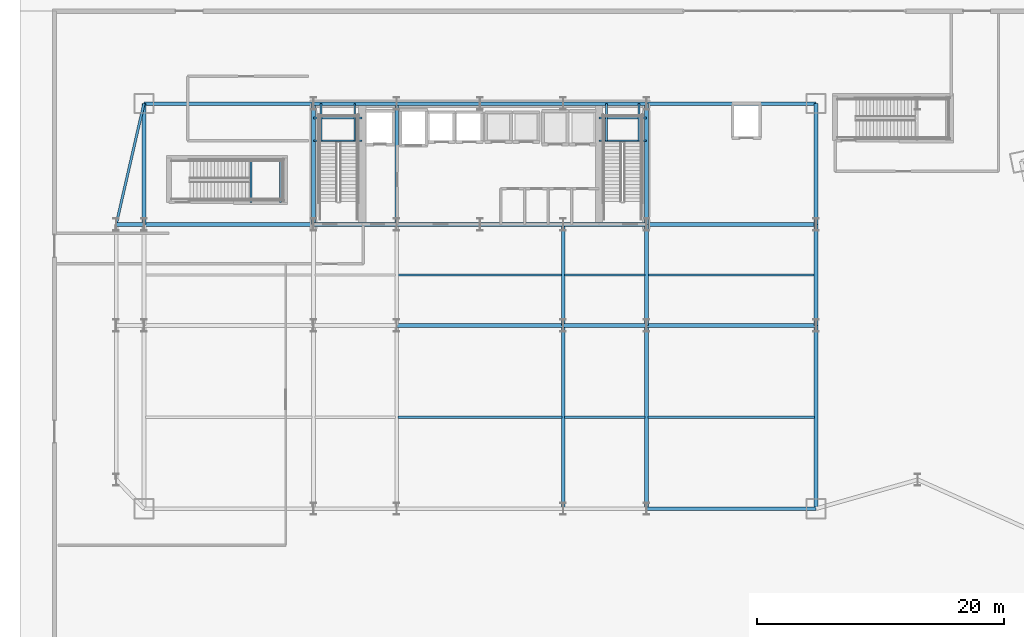
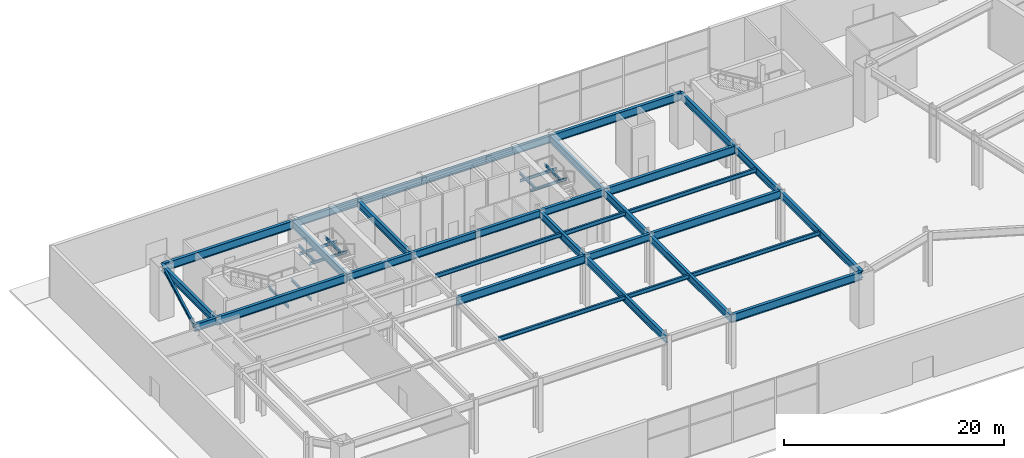
# One storey, part 7 of 30: 45 beams.
"""IFC4 building model written with IfcOpenShell, lengths in metres."""

from ifc_helpers import new_model, si_unit, direction, frame, origin, origin_2d, place, context, subcontext, project, spatial, i_section, extrude, material, material_profile, profile_set, type_object, element, save


model = new_model("IFC4")

# Units and contexts
model_context = context("Model", 3, precision=1e-05, world=origin(), true_north=direction((0.0, 1.0)))
body_context = subcontext(model_context, "Body", "Model", "MODEL_VIEW")
ifc_project = project(units=[si_unit("LENGTHUNIT", "METRE"), si_unit("AREAUNIT", "SQUARE_METRE"), si_unit("VOLUMEUNIT", "CUBIC_METRE"), si_unit("PLANEANGLEUNIT", "RADIAN"), si_unit("MASSUNIT", "GRAM", prefix="KILO")], contexts=[model_context])

# Site, building, storey
site_placement = place(None, origin())
site = spatial("IfcSite", under=ifc_project, at=site_placement, CompositionType="ELEMENT")
building_placement = place(site_placement, origin())
building = spatial("IfcBuilding", under=site, at=building_placement, Name="Haevon Station Towers", CompositionType="ELEMENT")
storey_placement = place(building_placement, origin())
storey = spatial("IfcBuildingStorey", under=building, at=storey_placement, Name="L00", CompositionType="ELEMENT", Elevation=0.0)

# Beams
ifc_material = material(Name="Steel S355", Category="steel")
ifc_material_profile_1 = material_profile(ifc_material, i_section(OverallWidth=0.199951171875, OverallDepth=0.39990234375, WebThickness=0.008056640625, FlangeThickness=0.012939453125, at=origin_2d()), Name="H-400x200x8x13")
ifc_profile_set_1 = profile_set([ifc_material_profile_1], Name="Steel S355")
beam_type_1 = type_object("IfcBeamType", Name="BM-CANT400", PredefinedType="JOIST", material=ifc_profile_set_1)
beam_1_placement = place(storey_placement, frame((8.0, 38.199951171875, 5.5), z_axis=(0.223768790916, 0.974642256529, 0.0), x_axis=(-0.974642256529, 0.223768790916, 0.0)))
element("IfcBeam", 1, at=beam_1_placement, inside=storey, type_object=beam_type_1, Name="BM-PODTERR-L00", PredefinedType="JOIST", context=body_context, shape_type="SweptSolid", body=[
    extrude(i_section(OverallWidth=0.199951171875, OverallDepth=0.39990234375, WebThickness=0.008056640625, FlangeThickness=0.012939453125, at=origin_2d()), origin(), (0.0, 0.0, 1.0), 10.054931640625),
])
ifc_material_profile_2 = material_profile(ifc_material, i_section(OverallWidth=0.199951171875, OverallDepth=0.449951171875, WebThickness=0.009033203125, FlangeThickness=0.013916015625, at=origin_2d()), Name="H-450x200x9x14")
ifc_profile_set_2 = profile_set([ifc_material_profile_2], Name="Steel S355")
beam_type_2 = type_object("IfcBeamType", Name="BM-J450", PredefinedType="JOIST", material=ifc_profile_set_2)
beam_2_placement = place(storey_placement, frame((30.860107421875, 22.574951171875, 5.47509765625), z_axis=(1.0, 0.0, 0.0), x_axis=(0.0, 1.0, 0.0)))
element("IfcBeam", 2, at=beam_2_placement, inside=storey, type_object=beam_type_2, Name="BM-T1J-L00-01-03", PredefinedType="JOIST", context=body_context, shape_type="SweptSolid", body=[
    extrude(i_section(OverallWidth=0.199951171875, OverallDepth=0.449951171875, WebThickness=0.009033203125, FlangeThickness=0.013916015625, at=origin_2d()), origin(), (0.0, 0.0, 1.0), 13.27978515625),
])
beam_3_placement = place(storey_placement, frame((44.360107421875, 22.574951171875, 5.47509765625), z_axis=(1.0, 0.0, 0.0), x_axis=(0.0, 1.0, 0.0)))
element("IfcBeam", 3, at=beam_3_placement, inside=storey, type_object=beam_type_2, Name="BM-T1J-L00-01-04", PredefinedType="JOIST", context=body_context, shape_type="SweptSolid", body=[
    extrude(i_section(OverallWidth=0.199951171875, OverallDepth=0.449951171875, WebThickness=0.009033203125, FlangeThickness=0.013916015625, at=origin_2d()), origin(), (0.0, 0.0, 1.0), 6.52978515625),
])
beam_4_placement = place(storey_placement, frame((51.110107421875, 22.574951171875, 5.47509765625), z_axis=(1.0, 0.0, 0.0), x_axis=(0.0, 1.0, 0.0)))
element("IfcBeam", 4, at=beam_4_placement, inside=storey, type_object=beam_type_2, Name="BM-T1J-L00-01-05", PredefinedType="JOIST", context=body_context, shape_type="SweptSolid", body=[
    extrude(i_section(OverallWidth=0.199951171875, OverallDepth=0.449951171875, WebThickness=0.009033203125, FlangeThickness=0.013916015625, at=origin_2d()), origin(), (0.0, 0.0, 1.0), 13.52978515625),
])
beam_5_placement = place(storey_placement, frame((30.860107421875, 34.10009765625, 5.47509765625), z_axis=(1.0, 0.0, 0.0), x_axis=(0.0, 1.0, 0.0)))
element("IfcBeam", 5, at=beam_5_placement, inside=storey, type_object=beam_type_2, Name="BM-T1J-L00-02-03", PredefinedType="JOIST", context=body_context, shape_type="SweptSolid", body=[
    extrude(i_section(OverallWidth=0.199951171875, OverallDepth=0.449951171875, WebThickness=0.009033203125, FlangeThickness=0.013916015625, at=origin_2d()), origin(), (0.0, 0.0, 1.0), 13.27978515625),
])
beam_6_placement = place(storey_placement, frame((44.360107421875, 34.10009765625, 5.47509765625), z_axis=(1.0, 0.0, 0.0), x_axis=(0.0, 1.0, 0.0)))
element("IfcBeam", 6, at=beam_6_placement, inside=storey, type_object=beam_type_2, Name="BM-T1J-L00-02-04", PredefinedType="JOIST", context=body_context, shape_type="SweptSolid", body=[
    extrude(i_section(OverallWidth=0.199951171875, OverallDepth=0.449951171875, WebThickness=0.009033203125, FlangeThickness=0.013916015625, at=origin_2d()), origin(), (0.0, 0.0, 1.0), 6.52978515625),
])
beam_7_placement = place(storey_placement, frame((51.110107421875, 34.10009765625, 5.47509765625), z_axis=(1.0, 0.0, 0.0), x_axis=(0.0, 1.0, 0.0)))
element("IfcBeam", 7, at=beam_7_placement, inside=storey, type_object=beam_type_2, Name="BM-T1J-L00-02-05", PredefinedType="JOIST", context=body_context, shape_type="SweptSolid", body=[
    extrude(i_section(OverallWidth=0.199951171875, OverallDepth=0.449951171875, WebThickness=0.009033203125, FlangeThickness=0.013916015625, at=origin_2d()), origin(), (0.0, 0.0, 1.0), 13.52978515625),
])
ifc_material_profile_3 = material_profile(ifc_material, i_section(OverallWidth=0.14990234375, OverallDepth=0.300048828125, WebThickness=0.006591796875, FlangeThickness=0.009033203125, at=origin_2d()), Name="H-300x150x6.5x9")
ifc_profile_set_3 = profile_set([ifc_material_profile_3], Name="Steel S355")
beam_type_3 = type_object("IfcBeamType", Name="BM-LIN300", PredefinedType="LINTEL", material=ifc_profile_set_3)
for number, where, z_axis, x_axis, name in (
    (8, (18.93408203125, 40.0, 2.64990234375), (0.0, 1.0, 0.0), (-1.0, 0.0, 0.0), "BM-ST5L-L00-1-W"),
    (9, (21.320068359375, 40.0, 2.64990234375), (0.0, 1.0, 0.0), (-1.0, 0.0, 0.0), "BM-ST5L-L00-1-E"),
):
    element("IfcBeam", number, at=place(storey_placement, frame(where, z_axis=z_axis, x_axis=x_axis)), inside=storey, type_object=beam_type_3, Name=name, PredefinedType="LINTEL", context=body_context, shape_type="SweptSolid", body=[
        extrude(i_section(OverallWidth=0.14990234375, OverallDepth=0.300048828125, WebThickness=0.006591796875, FlangeThickness=0.009033203125, at=origin_2d()), origin(), (0.0, 0.0, 1.0), 3.60009765625),
    ])
for number, where, z_axis, x_axis, name in (
    (10, (24.0, 44.98388671875, 2.64990234375), (1.0, 0.0, 0.0), (0.0, 1.0, 0.0), "BM-ST1L-L00-1-S"),
    (11, (24.0, 46.820068359375, 2.64990234375), (1.0, 0.0, 0.0), (0.0, 1.0, 0.0), "BM-ST1L-L00-1-N"),
):
    element("IfcBeam", number, at=place(storey_placement, frame(where, z_axis=z_axis, x_axis=x_axis)), inside=storey, type_object=beam_type_3, Name=name, PredefinedType="LINTEL", context=body_context, shape_type="SweptSolid", body=[
        extrude(i_section(OverallWidth=0.14990234375, OverallDepth=0.300048828125, WebThickness=0.006591796875, FlangeThickness=0.009033203125, at=origin_2d()), origin(), (0.0, 0.0, 1.0), 3.949951171875),
    ])
for number, where, z_axis, x_axis, name in (
    (12, (24.60009765625, 44.98388671875, 2.64990234375), (0.0, 1.0, 0.0), (-1.0, 0.0, 0.0), "BM-ST1L-L00-1-W"),
    (13, (27.35009765625, 44.98388671875, 2.64990234375), (0.0, 1.0, 0.0), (-1.0, 0.0, 0.0), "BM-ST1L-L00-1-E"),
):
    element("IfcBeam", number, at=place(storey_placement, frame(where, z_axis=z_axis, x_axis=x_axis)), inside=storey, type_object=beam_type_3, Name=name, PredefinedType="LINTEL", context=body_context, shape_type="SweptSolid", body=[
        extrude(i_section(OverallWidth=0.14990234375, OverallDepth=0.300048828125, WebThickness=0.006591796875, FlangeThickness=0.009033203125, at=origin_2d()), origin(), (0.0, 0.0, 1.0), 3.01611328125),
    ])
for number, where, z_axis, x_axis, name in (
    (14, (47.14990234375, 44.98388671875, 2.64990234375), (1.0, 0.0, 0.0), (0.0, 1.0, 0.0), "BM-ST2L-L00-1-S"),
    (15, (47.14990234375, 46.820068359375, 2.64990234375), (1.0, 0.0, 0.0), (0.0, 1.0, 0.0), "BM-ST2L-L00-1-N"),
):
    element("IfcBeam", number, at=place(storey_placement, frame(where, z_axis=z_axis, x_axis=x_axis)), inside=storey, type_object=beam_type_3, Name=name, PredefinedType="LINTEL", context=body_context, shape_type="SweptSolid", body=[
        extrude(i_section(OverallWidth=0.14990234375, OverallDepth=0.300048828125, WebThickness=0.006591796875, FlangeThickness=0.009033203125, at=origin_2d()), origin(), (0.0, 0.0, 1.0), 3.85009765625),
    ])
for number, where, z_axis, x_axis, name in (
    (16, (47.75, 44.98388671875, 2.64990234375), (0.0, 1.0, 0.0), (-1.0, 0.0, 0.0), "BM-ST2L-L00-1-W"),
    (17, (50.39990234375, 44.98388671875, 2.64990234375), (0.0, 1.0, 0.0), (-1.0, 0.0, 0.0), "BM-ST2L-L00-1-E"),
):
    element("IfcBeam", number, at=place(storey_placement, frame(where, z_axis=z_axis, x_axis=x_axis)), inside=storey, type_object=beam_type_3, Name=name, PredefinedType="LINTEL", context=body_context, shape_type="SweptSolid", body=[
        extrude(i_section(OverallWidth=0.14990234375, OverallDepth=0.300048828125, WebThickness=0.006591796875, FlangeThickness=0.009033203125, at=origin_2d()), origin(), (0.0, 0.0, 1.0), 3.01611328125),
    ])
ifc_material_profile_4 = material_profile(ifc_material, i_section(OverallWidth=0.300048828125, OverallDepth=0.800048828125, WebThickness=0.013916015625, FlangeThickness=0.02587890625, at=origin_2d()), Name="H-800x300x14x26")
ifc_profile_set_4 = profile_set([ifc_material_profile_4], Name="Steel S355")
beam_type_4 = type_object("IfcBeamType", Name="BM-PG800", PredefinedType="BEAM", material=ifc_profile_set_4)
for number, where, z_axis, x_axis, name in (
    (18, (44.25, 30.0, 5.300048828125), (1.0, 0.0, 0.0), (0.0, 1.0, 0.0), "BM-T1X-L00-02-05"),
    (19, (24.0, 38.199951171875, 5.300048828125), (1.0, 0.0, 0.0), (0.0, 1.0, 0.0), "BM-T1X-L00-03-02"),
    (20, (30.75, 38.199951171875, 5.300048828125), (1.0, 0.0, 0.0), (0.0, 1.0, 0.0), "BM-T1X-L00-03-03"),
    (21, (37.5, 38.199951171875, 5.300048828125), (1.0, 0.0, 0.0), (0.0, 1.0, 0.0), "BM-T1X-L00-03-04"),
    (22, (44.25, 38.199951171875, 5.300048828125), (1.0, 0.0, 0.0), (0.0, 1.0, 0.0), "BM-T1X-L00-03-05"),
    (23, (24.0, 48.0, 5.300048828125), (1.0, 0.0, 0.0), (0.0, 1.0, 0.0), "BM-T1X-L00-04-02"),
    (24, (30.75, 48.0, 5.300048828125), (1.0, 0.0, 0.0), (0.0, 1.0, 0.0), "BM-T1X-L00-04-03"),
    (25, (37.5, 48.0, 5.300048828125), (1.0, 0.0, 0.0), (0.0, 1.0, 0.0), "BM-T1X-L00-04-04"),
    (26, (44.25, 48.0, 5.300048828125), (1.0, 0.0, 0.0), (0.0, 1.0, 0.0), "BM-T1X-L00-04-05"),
):
    element("IfcBeam", number, at=place(storey_placement, frame(where, z_axis=z_axis, x_axis=x_axis)), inside=storey, type_object=beam_type_4, Name=name, PredefinedType="BEAM", context=body_context, shape_type="SweptSolid", body=[
        extrude(i_section(OverallWidth=0.300048828125, OverallDepth=0.800048828125, WebThickness=0.013916015625, FlangeThickness=0.02587890625, at=origin_2d()), origin(), (0.0, 0.0, 1.0), 6.75),
    ])
for number, where, z_axis, x_axis, name in (
    (27, (10.25, 38.199951171875, 5.300048828125), (0.0, 1.0, 0.0), (-1.0, 0.0, 0.0), "BM-T1Y-L00-01-03"),
    (28, (24.0, 38.199951171875, 5.300048828125), (0.0, 1.0, 0.0), (-1.0, 0.0, 0.0), "BM-T1Y-L00-02-03"),
    (29, (30.75, 38.199951171875, 5.300048828125), (0.0, 1.0, 0.0), (-1.0, 0.0, 0.0), "BM-T1Y-L00-03-03"),
):
    element("IfcBeam", number, at=place(storey_placement, frame(where, z_axis=z_axis, x_axis=x_axis)), inside=storey, type_object=beam_type_4, Name=name, PredefinedType="BEAM", context=body_context, shape_type="SweptSolid", body=[
        extrude(i_section(OverallWidth=0.300048828125, OverallDepth=0.800048828125, WebThickness=0.013916015625, FlangeThickness=0.02587890625, at=origin_2d()), origin(), (0.0, 0.0, 1.0), 9.800048828125),
    ])
beam_8_placement = place(storey_placement, frame((44.25, 15.14990234375, 5.300048828125), z_axis=(0.0, 1.0, 0.0), x_axis=(-1.0, 0.0, 0.0)))
element("IfcBeam", 30, at=beam_8_placement, inside=storey, type_object=beam_type_4, Name="BM-T1Y-L00-05-01", PredefinedType="BEAM", context=body_context, shape_type="SweptSolid", body=[
    extrude(i_section(OverallWidth=0.300048828125, OverallDepth=0.800048828125, WebThickness=0.013916015625, FlangeThickness=0.02587890625, at=origin_2d()), origin(), (0.0, 0.0, 1.0), 14.85009765625),
])
beam_9_placement = place(storey_placement, frame((44.25, 30.0, 5.300048828125), z_axis=(0.0, 1.0, 0.0), x_axis=(-1.0, 0.0, 0.0)))
element("IfcBeam", 31, at=beam_9_placement, inside=storey, type_object=beam_type_4, Name="BM-T1Y-L00-05-02", PredefinedType="BEAM", context=body_context, shape_type="SweptSolid", body=[
    extrude(i_section(OverallWidth=0.300048828125, OverallDepth=0.800048828125, WebThickness=0.013916015625, FlangeThickness=0.02587890625, at=origin_2d()), origin(), (0.0, 0.0, 1.0), 8.199951171875),
])
beam_10_placement = place(storey_placement, frame((51.0, 15.14990234375, 5.300048828125), z_axis=(0.0, 1.0, 0.0), x_axis=(-1.0, 0.0, 0.0)))
element("IfcBeam", 32, at=beam_10_placement, inside=storey, type_object=beam_type_4, Name="BM-T1Y-L00-06-01", PredefinedType="BEAM", context=body_context, shape_type="SweptSolid", body=[
    extrude(i_section(OverallWidth=0.300048828125, OverallDepth=0.800048828125, WebThickness=0.013916015625, FlangeThickness=0.02587890625, at=origin_2d()), origin(), (0.0, 0.0, 1.0), 14.85009765625),
])
beam_11_placement = place(storey_placement, frame((51.0, 30.0, 5.300048828125), z_axis=(0.0, 1.0, 0.0), x_axis=(-1.0, 0.0, 0.0)))
element("IfcBeam", 33, at=beam_11_placement, inside=storey, type_object=beam_type_4, Name="BM-T1Y-L00-06-02", PredefinedType="BEAM", context=body_context, shape_type="SweptSolid", body=[
    extrude(i_section(OverallWidth=0.300048828125, OverallDepth=0.800048828125, WebThickness=0.013916015625, FlangeThickness=0.02587890625, at=origin_2d()), origin(), (0.0, 0.0, 1.0), 8.199951171875),
])
beam_12_placement = place(storey_placement, frame((51.0, 38.199951171875, 5.300048828125), z_axis=(0.0, 1.0, 0.0), x_axis=(-1.0, 0.0, 0.0)))
element("IfcBeam", 34, at=beam_12_placement, inside=storey, type_object=beam_type_4, Name="BM-T1Y-L00-06-03", PredefinedType="BEAM", context=body_context, shape_type="SweptSolid", body=[
    extrude(i_section(OverallWidth=0.300048828125, OverallDepth=0.800048828125, WebThickness=0.013916015625, FlangeThickness=0.02587890625, at=origin_2d()), origin(), (0.0, 0.0, 1.0), 9.800048828125),
])
beam_13_placement = place(storey_placement, frame((64.75, 15.14990234375, 5.300048828125), z_axis=(0.0, 1.0, 0.0), x_axis=(-1.0, 0.0, 0.0)))
element("IfcBeam", 35, at=beam_13_placement, inside=storey, type_object=beam_type_4, Name="BM-T1Y-L00-07-01", PredefinedType="BEAM", context=body_context, shape_type="SweptSolid", body=[
    extrude(i_section(OverallWidth=0.300048828125, OverallDepth=0.800048828125, WebThickness=0.013916015625, FlangeThickness=0.02587890625, at=origin_2d()), origin(), (0.0, 0.0, 1.0), 14.85009765625),
])
beam_14_placement = place(storey_placement, frame((64.75, 30.0, 5.300048828125), z_axis=(0.0, 1.0, 0.0), x_axis=(-1.0, 0.0, 0.0)))
element("IfcBeam", 36, at=beam_14_placement, inside=storey, type_object=beam_type_4, Name="BM-T1Y-L00-07-02", PredefinedType="BEAM", context=body_context, shape_type="SweptSolid", body=[
    extrude(i_section(OverallWidth=0.300048828125, OverallDepth=0.800048828125, WebThickness=0.013916015625, FlangeThickness=0.02587890625, at=origin_2d()), origin(), (0.0, 0.0, 1.0), 8.199951171875),
])
beam_15_placement = place(storey_placement, frame((64.75, 38.199951171875, 5.300048828125), z_axis=(0.0, 1.0, 0.0), x_axis=(-1.0, 0.0, 0.0)))
element("IfcBeam", 37, at=beam_15_placement, inside=storey, type_object=beam_type_4, Name="BM-T1Y-L00-07-03", PredefinedType="BEAM", context=body_context, shape_type="SweptSolid", body=[
    extrude(i_section(OverallWidth=0.300048828125, OverallDepth=0.800048828125, WebThickness=0.013916015625, FlangeThickness=0.02587890625, at=origin_2d()), origin(), (0.0, 0.0, 1.0), 9.800048828125),
])
beam_16_placement = place(storey_placement, frame((8.0, 38.199951171875, 5.300048828125), z_axis=(1.0, 0.0, 0.0), x_axis=(0.0, 1.0, 0.0)))
element("IfcBeam", 38, at=beam_16_placement, inside=storey, type_object=beam_type_4, Name="BM-PODW-L00-3", PredefinedType="BEAM", context=body_context, shape_type="SweptSolid", body=[
    extrude(i_section(OverallWidth=0.300048828125, OverallDepth=0.800048828125, WebThickness=0.013916015625, FlangeThickness=0.02587890625, at=origin_2d()), origin(), (0.0, 0.0, 1.0), 2.25),
])
ifc_material_profile_5 = material_profile(ifc_material, i_section(OverallWidth=0.300048828125, OverallDepth=0.89990234375, WebThickness=0.01611328125, FlangeThickness=0.028076171875, at=origin_2d()), Name="H-900x300x16x28")
ifc_profile_set_5 = profile_set([ifc_material_profile_5], Name="Steel S355")
beam_type_5 = type_object("IfcBeamType", Name="BM-PG900", PredefinedType="BEAM", material=ifc_profile_set_5)
beam_17_placement = place(storey_placement, frame((51.0, 15.14990234375, 5.25), z_axis=(1.0, 0.0, 0.0), x_axis=(0.0, 1.0, 0.0)))
element("IfcBeam", 39, at=beam_17_placement, inside=storey, type_object=beam_type_5, Name="BM-T1X-L00-01-06", PredefinedType="BEAM", context=body_context, shape_type="SweptSolid", body=[
    extrude(i_section(OverallWidth=0.300048828125, OverallDepth=0.89990234375, WebThickness=0.01611328125, FlangeThickness=0.028076171875, at=origin_2d()), origin(), (0.0, 0.0, 1.0), 13.75),
])
beam_18_placement = place(storey_placement, frame((30.75, 30.0, 5.25), z_axis=(1.0, 0.0, 0.0), x_axis=(0.0, 1.0, 0.0)))
element("IfcBeam", 40, at=beam_18_placement, inside=storey, type_object=beam_type_5, Name="BM-T1X-L00-02-03", PredefinedType="BEAM", context=body_context, shape_type="SweptSolid", body=[
    extrude(i_section(OverallWidth=0.300048828125, OverallDepth=0.89990234375, WebThickness=0.01611328125, FlangeThickness=0.028076171875, at=origin_2d()), origin(), (0.0, 0.0, 1.0), 13.5),
])
for number, where, z_axis, x_axis, name in (
    (41, (51.0, 30.0, 5.25), (1.0, 0.0, 0.0), (0.0, 1.0, 0.0), "BM-T1X-L00-02-06"),
    (42, (10.25, 38.199951171875, 5.25), (1.0, 0.0, 0.0), (0.0, 1.0, 0.0), "BM-T1X-L00-03-01"),
    (43, (51.0, 38.199951171875, 5.25), (1.0, 0.0, 0.0), (0.0, 1.0, 0.0), "BM-T1X-L00-03-06"),
    (44, (10.25, 48.0, 5.25), (1.0, 0.0, 0.0), (0.0, 1.0, 0.0), "BM-T1X-L00-04-01"),
    (45, (51.0, 48.0, 5.25), (1.0, 0.0, 0.0), (0.0, 1.0, 0.0), "BM-T1X-L00-04-06"),
):
    element("IfcBeam", number, at=place(storey_placement, frame(where, z_axis=z_axis, x_axis=x_axis)), inside=storey, type_object=beam_type_5, Name=name, PredefinedType="BEAM", context=body_context, shape_type="SweptSolid", body=[
        extrude(i_section(OverallWidth=0.300048828125, OverallDepth=0.89990234375, WebThickness=0.01611328125, FlangeThickness=0.028076171875, at=origin_2d()), origin(), (0.0, 0.0, 1.0), 13.75),
    ])

save(model, "model.ifc")
